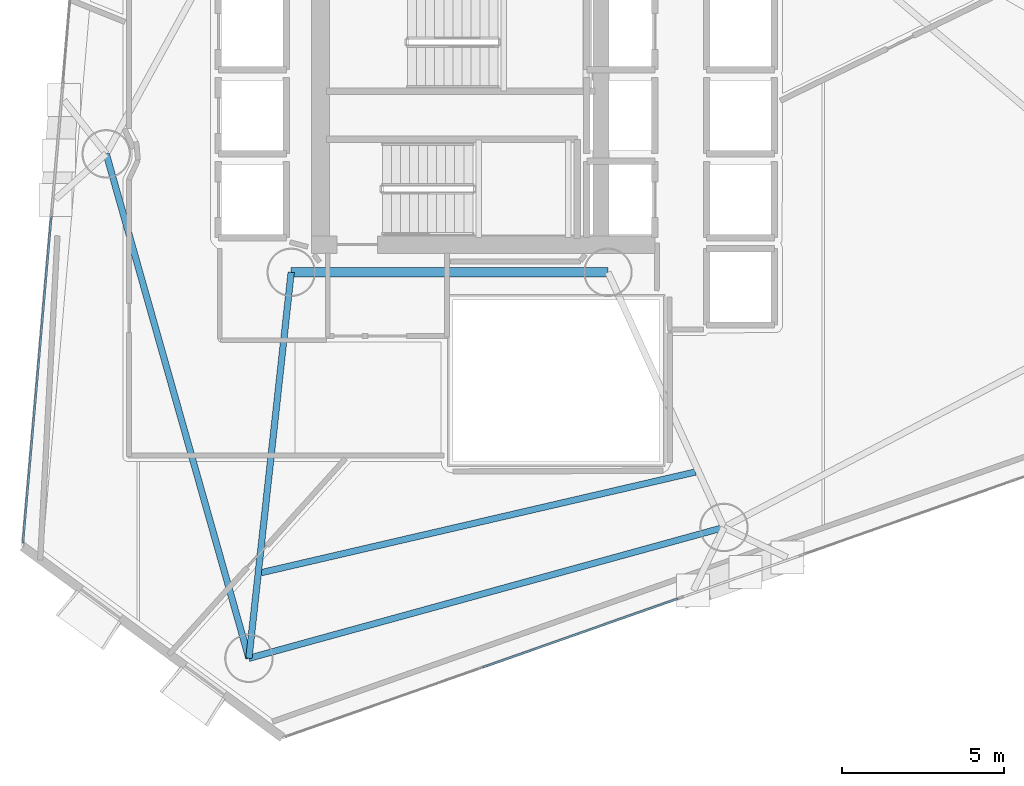
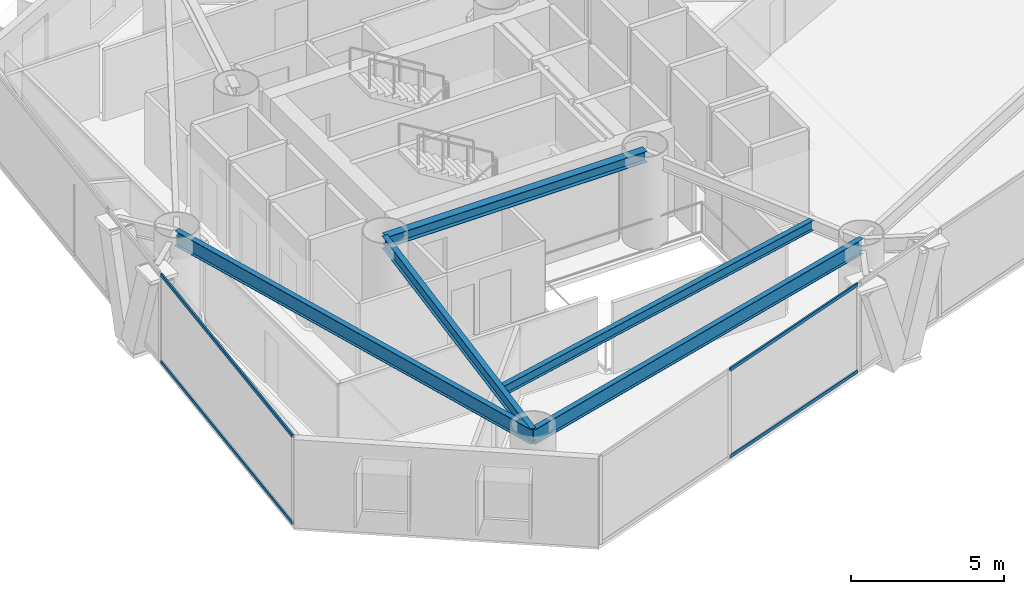
# One storey, part 3 of 19: 5 beams, 4 members, 2 elements without a shape of their own.
"""IFC4 building model written with IfcOpenShell, lengths in metres."""

from ifc_helpers import new_model, si_unit, direction, frame, origin, origin_2d, place, context, subcontext, project, spatial, hollow_rectangle, i_section, extrude, material, layer, layer_set, material_profile, profile_set, type_object, element, aggregate, save


model = new_model("IFC4")

# Units and contexts
model_context = context("Model", 3, precision=1e-05, world=origin(), true_north=direction((0.0, 1.0)))
body_context = subcontext(model_context, "Body", "Model", "MODEL_VIEW")
ifc_project = project(units=[si_unit("LENGTHUNIT", "METRE"), si_unit("AREAUNIT", "SQUARE_METRE"), si_unit("VOLUMEUNIT", "CUBIC_METRE"), si_unit("PLANEANGLEUNIT", "RADIAN"), si_unit("MASSUNIT", "GRAM", prefix="KILO")], contexts=[model_context])

# Site, building, storey
site_placement = place(None, origin())
site = spatial("IfcSite", under=ifc_project, at=site_placement, CompositionType="ELEMENT")
building_placement = place(site_placement, origin())
building = spatial("IfcBuilding", under=site, at=building_placement, Name="Qianvela Tower", CompositionType="ELEMENT")
storey_placement = place(building_placement, frame((0.0, 0.0, 123.699951171875)))
storey = spatial("IfcBuildingStorey", under=building, at=storey_placement, Name="L31", CompositionType="ELEMENT", Elevation=123.699951171875)

# Beams
ifc_material_1 = material(Name="Steel Q355B", Category="steel")
ifc_material_profile_1 = material_profile(ifc_material_1, i_section(OverallWidth=0.300048828125, OverallDepth=0.43994140625, WebThickness=0.010986328125, FlangeThickness=0.01806640625, at=origin_2d()), Name="HM440x300x11x18")
ifc_profile_set_1 = profile_set([ifc_material_profile_1], Name="Steel Q355B")
beam_type_1 = type_object("IfcBeamType", Name="BM-HM440-COLL", PredefinedType="BEAM", material=ifc_profile_set_1)
beam_1_placement = place(storey_placement, frame((28.60009765625, 23.85009765625, 3.298095703125), z_axis=(1.0, 0.0, 0.0), x_axis=(0.0, 1.0, 0.0)))
element("IfcBeam", 1, at=beam_1_placement, inside=storey, type_object=beam_type_1, Name="L31 Core Ring Collector Girder CC1", PredefinedType="BEAM", context=body_context, shape_type="SweptSolid", body=[
    extrude(i_section(OverallWidth=0.300048828125, OverallDepth=0.43994140625, WebThickness=0.010986328125, FlangeThickness=0.01806640625, at=origin_2d()), origin(), (0.0, 0.0, 1.0), 9.7998046875),
])
ifc_material_2 = material(Name="Steel Q355B", Category="steel")
ifc_material_profile_2 = material_profile(ifc_material_2, i_section(OverallWidth=0.199951171875, OverallDepth=0.39990234375, WebThickness=0.008056640625, FlangeThickness=0.012939453125, at=origin_2d()), Name="HN400x200x8x13")
ifc_profile_set_2 = profile_set([ifc_material_profile_2], Name="Steel Q355B")
beam_type_2 = type_object("IfcBeamType", Name="BM-HN400-JOIST", PredefinedType="JOIST", material=ifc_profile_set_2)
beam_2_placement = place(storey_placement, frame((27.67333984375, 14.5576171875, 3.318115234375), z_axis=(0.974157898668, 0.225868077567, 0.0), x_axis=(-0.225868077567, 0.974157898668, 0.0)))
element("IfcBeam", 2, at=beam_2_placement, inside=storey, type_object=beam_type_2, Name="L31 Secondary Composite Floor Joist 5.3", PredefinedType="JOIST", context=body_context, shape_type="SweptSolid", body=[
    extrude(i_section(OverallWidth=0.199951171875, OverallDepth=0.39990234375, WebThickness=0.008056640625, FlangeThickness=0.012939453125, at=origin_2d()), origin(), (0.0, 0.0, 1.0), 13.787841796875),
])
ifc_material_3 = material(Name="Steel Q355B", Category="steel")
ifc_material_profile_3 = material_profile(ifc_material_3, i_section(OverallWidth=0.199951171875, OverallDepth=0.5, WebThickness=0.010009765625, FlangeThickness=0.01611328125, at=origin_2d()), Name="HN500x200x10x16")
ifc_profile_set_3 = profile_set([ifc_material_profile_3], Name="Steel Q355B")
beam_type_3 = type_object("IfcBeamType", Name="BM-HN500-GIRD", PredefinedType="BEAM", material=ifc_profile_set_3)
beam_3_placement = place(storey_placement, frame((28.60009765625, 23.85009765625, 3.26806640625), z_axis=(-0.108894474914, -0.994053315136, 0.0), x_axis=(0.994053315136, -0.108894474914, 0.0)))
element("IfcBeam", 3, at=beam_3_placement, inside=storey, type_object=beam_type_3, Name="L31 Radial Primary Floor Girder 5", PredefinedType="BEAM", context=body_context, shape_type="SweptSolid", body=[
    extrude(i_section(OverallWidth=0.199951171875, OverallDepth=0.5, WebThickness=0.010009765625, FlangeThickness=0.01611328125, at=origin_2d()), origin(), (0.0, 0.0, 1.0), 12.0126953125),
])
ifc_material_4 = material(Name="Steel Q355B", Category="steel")
ifc_material_profile_4 = material_profile(ifc_material_4, i_section(OverallWidth=0.199951171875, OverallDepth=0.60009765625, WebThickness=0.010986328125, FlangeThickness=0.01708984375, at=origin_2d()), Name="HN600x200x11x17")
ifc_profile_set_4 = profile_set([ifc_material_profile_4], Name="Steel Q355B")
beam_type_4 = type_object("IfcBeamType", Name="BM-HN600-GIRD", PredefinedType="BEAM", material=ifc_profile_set_4)
beam_4_placement = place(storey_placement, frame((22.8779296875, 27.51611328125, 3.218017578125), z_axis=(0.272147602289, -0.962255518336, 0.0), x_axis=(0.962255518336, 0.272147602289, 0.0)))
element("IfcBeam", 4, at=beam_4_placement, inside=storey, type_object=beam_type_4, Name="L31 Perimeter Ring Spandrel Girder 4", PredefinedType="BEAM", context=body_context, shape_type="SweptSolid", body=[
    extrude(i_section(OverallWidth=0.199951171875, OverallDepth=0.60009765625, WebThickness=0.010986328125, FlangeThickness=0.01708984375, at=origin_2d()), origin(), (0.0, 0.0, 1.0), 16.219482421875),
])
beam_5_placement = place(storey_placement, frame((27.2919921875, 11.908935546875, 3.218017578125), z_axis=(0.964093212083, 0.265564075912, 0.0), x_axis=(-0.265564075912, 0.964093212083, 0.0)))
element("IfcBeam", 5, at=beam_5_placement, inside=storey, type_object=beam_type_4, Name="L31 Perimeter Ring Spandrel Girder 5", PredefinedType="BEAM", context=body_context, shape_type="SweptSolid", body=[
    extrude(i_section(OverallWidth=0.199951171875, OverallDepth=0.60009765625, WebThickness=0.010986328125, FlangeThickness=0.01708984375, at=origin_2d()), origin(), (0.0, 0.0, 1.0), 15.243408203125),
])

# Curtain wall, members
ifc_material_5 = material(Name="Anodised Architectural Aluminium and Low-E Glass", Category="aluminium")
ifc_layer = layer(ifc_material_5, 0.169921875)
ifc_layer_set = layer_set([ifc_layer], Name="Anodised Architectural Aluminium and Low-E Glass")
curtain_wall_type = type_object("IfcCurtainWallType", Name="CW-COLIV-Z34", PredefinedType="USERDEFINED", material=ifc_layer_set)
curtain_wall_1_placement = place(storey_placement, origin())
curtain_wall_1 = element("IfcCurtainWall", 6, at=curtain_wall_1_placement, inside=storey, type_object=curtain_wall_type, Name="L31 CW-COLIV-Z34 Curtain Wall 04C", ObjectType="CURTAIN_WALL_SYSTEM", PredefinedType="USERDEFINED")
ifc_material_6 = material(Name="Anodised Architectural Aluminium 6063-T6", Category="aluminium")
ifc_material_profile_5 = material_profile(ifc_material_6, hollow_rectangle(XDim=0.06494140625, YDim=0.1298828125, WallThickness=0.00439453125, at=origin_2d()), Name="ALU-TRAN-65x130")
ifc_profile_set_5 = profile_set([ifc_material_profile_5], Name="Anodised Architectural Aluminium 6063-T6")
member_type = type_object("IfcMemberType", Name="CW-COLIV-Z34-TRAN", PredefinedType="USERDEFINED", material=ifc_profile_set_5)
member_1_placement = place(storey_placement, frame((21.1796875, 25.576416015625, 0.032470703125), z_axis=(-0.0864643196, -0.996254948011, 0.0), x_axis=(0.996254948011, -0.0864643196, 0.0)))
member_1 = element("IfcMember", 7, at=member_1_placement, type_object=member_type, Name="CW-4 transom 1.1", ObjectType="TRANSOM", PredefinedType="USERDEFINED", context=body_context, shape_type="SweptSolid", body=[
    extrude(hollow_rectangle(XDim=0.06494140625, YDim=0.1298828125, WallThickness=0.00439453125, at=origin_2d()), origin(), (0.0, 0.0, 1.0), 10.1337890625),
])
member_2_placement = place(storey_placement, frame((21.1796875, 25.576416015625, 3.487548828125), z_axis=(-0.0864643196, -0.996254948011, 0.0), x_axis=(0.996254948011, -0.0864643196, 0.0)))
member_2 = element("IfcMember", 8, at=member_2_placement, type_object=member_type, Name="CW-4 transom 1.2", ObjectType="TRANSOM", PredefinedType="USERDEFINED", context=body_context, shape_type="SweptSolid", body=[
    extrude(hollow_rectangle(XDim=0.06494140625, YDim=0.1298828125, WallThickness=0.00439453125, at=origin_2d()), origin(), (0.0, 0.0, 1.0), 10.1337890625),
])
aggregate(curtain_wall_1, [member_1, member_2])

curtain_wall_2_placement = place(storey_placement, origin())
curtain_wall_2 = element("IfcCurtainWall", 9, at=curtain_wall_2_placement, inside=storey, type_object=curtain_wall_type, Name="L31 CW-COLIV-Z34 Curtain Wall 06A", ObjectType="CURTAIN_WALL_SYSTEM", PredefinedType="USERDEFINED")
member_3_placement = place(storey_placement, frame((34.5341796875, 11.6318359375, 0.032470703125), z_axis=(0.943264993825, 0.332040888182, 0.0), x_axis=(-0.332040888182, 0.943264993825, 0.0)))
member_3 = element("IfcMember", 10, at=member_3_placement, type_object=member_type, Name="CW-4 transom 2.1", ObjectType="TRANSOM", PredefinedType="USERDEFINED", context=body_context, shape_type="SweptSolid", body=[
    extrude(hollow_rectangle(XDim=0.06494140625, YDim=0.1298828125, WallThickness=0.00439453125, at=origin_2d()), origin(), (0.0, 0.0, 1.0), 6.392578125),
])
member_4_placement = place(storey_placement, frame((34.5341796875, 11.6318359375, 3.487548828125), z_axis=(0.943264993825, 0.332040888182, 0.0), x_axis=(-0.332040888182, 0.943264993825, 0.0)))
member_4 = element("IfcMember", 11, at=member_4_placement, type_object=member_type, Name="CW-4 transom 2.2", ObjectType="TRANSOM", PredefinedType="USERDEFINED", context=body_context, shape_type="SweptSolid", body=[
    extrude(hollow_rectangle(XDim=0.06494140625, YDim=0.1298828125, WallThickness=0.00439453125, at=origin_2d()), origin(), (0.0, 0.0, 1.0), 6.392578125),
])
aggregate(curtain_wall_2, [member_3, member_4])

save(model, "model.ifc")
